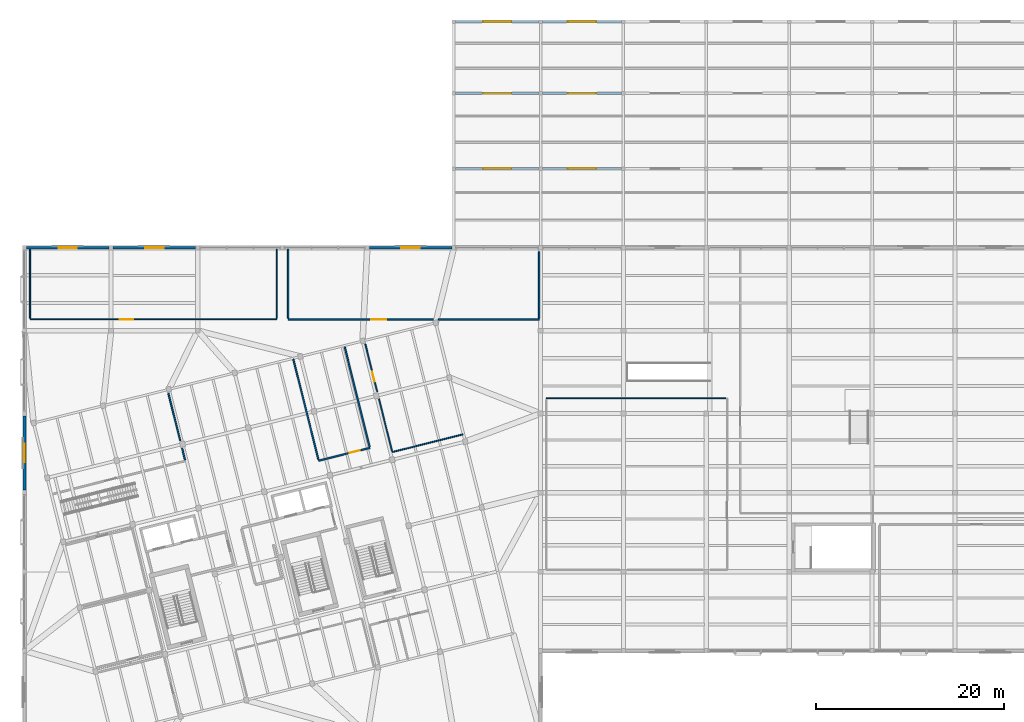
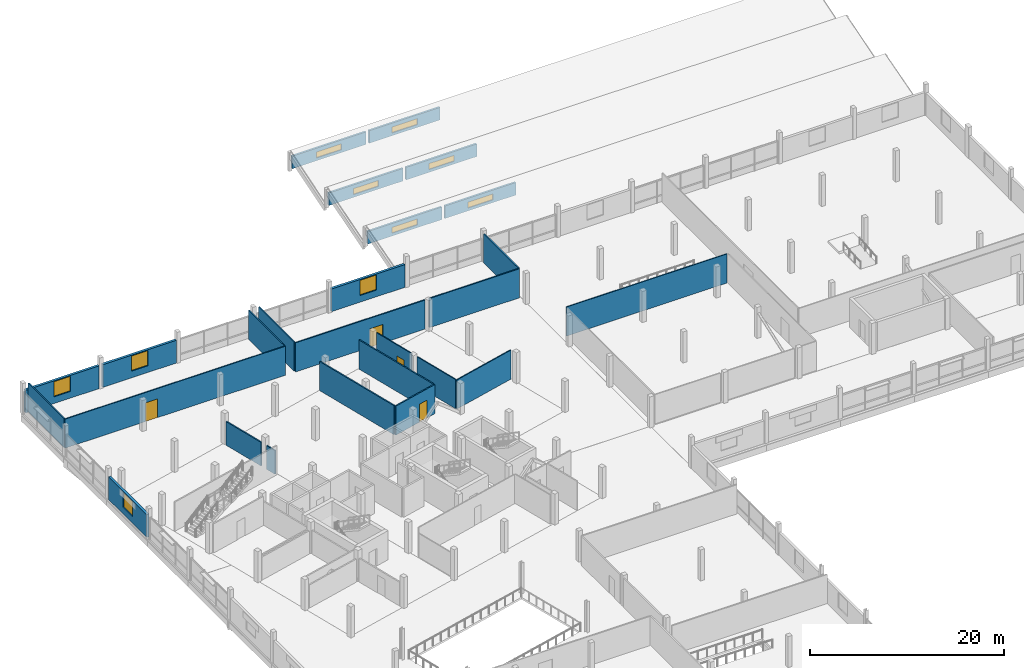
# One storey, part 54 of 62: 26 walls, 10 windows, 4 doors, 14 openings.
"""IFC4 building model written with IfcOpenShell, lengths in metres."""

import ifcopenshell
import ifcopenshell.guid

model = None  # the IFC model being written
_history = None  # IfcOwnerHistory: only IFC2X3 demands one
_inside = {}  # id of a spatial element -> (the spatial element, [elements in it])
_under = {}  # id of a project, library or spatial element -> (it, [spatial elements below it])
_declared = {}  # id of a project -> (the project, [libraries it declares])
_typed = {}  # id of a type object -> (the type object, [elements of that type])
_made_of = {}  # id of a material, layer set ... -> (it, [elements and type objects made of it])


def new_model(schema):
    """Start an empty IFC model of exactly this schema.

    Asked for "IFC4X3", IfcOpenShell would pick the latest addendum, in which some entities
    have other attributes; the version numbers below select the first issue.
    IFC2X3 requires an IfcOwnerHistory on every rooted entity: one is made here for all.
    """
    global model, _history
    if schema == "IFC4X3":
        model = ifcopenshell.file(schema_version=(4, 3, 0, 0))
    else:
        model = ifcopenshell.file(schema=schema)
    _inside.clear()
    _under.clear()
    _declared.clear()
    _typed.clear()
    _made_of.clear()
    _history = None
    if model.schema == "IFC2X3":
        org = make("IfcOrganization", Name="unknown")
        user = make(
            "IfcPersonAndOrganization",
            ThePerson=make("IfcPerson", FamilyName="unknown"),
            TheOrganization=org,
        )
        app = make(
            "IfcApplication",
            ApplicationDeveloper=org,
            Version="unknown",
            ApplicationFullName="unknown",
            ApplicationIdentifier="unknown",
        )
        _history = make(
            "IfcOwnerHistory",
            OwningUser=user,
            OwningApplication=app,
            ChangeAction="ADDED",
            CreationDate=0,
        )
    return model


def make(cls, **values):
    """One entity of the class cls with the attributes given. An attribute that is None is left unset."""
    return model.create_entity(
        cls, **{name: value for name, value in values.items() if value is not None}
    )


def rooted(cls, **values):
    """An entity with a GlobalId (a new one), such as an element, a storey or a relation."""
    return make(cls, GlobalId=ifcopenshell.guid.new(), OwnerHistory=_history, **values)


def si_unit(unit_type, name, prefix=None):
    """IfcSIUnit, for example si_unit("LENGTHUNIT", "METRE", prefix="MILLI")."""
    return make("IfcSIUnit", UnitType=unit_type, Prefix=prefix, Name=name)


def assignment(units):
    """IfcUnitAssignment: the units of a project."""
    return None if units is None else make("IfcUnitAssignment", Units=units)


def point(xyz):
    """IfcCartesianPoint."""
    return None if xyz is None else make("IfcCartesianPoint", Coordinates=xyz)


def direction(xyz):
    """IfcDirection."""
    return None if xyz is None else make("IfcDirection", DirectionRatios=xyz)


def frame(location, z_axis=None, x_axis=None):
    """IfcAxis2Placement3D, a coordinate frame: its origin and axes. An axis left out is left unset."""
    return make(
        "IfcAxis2Placement3D",
        Location=point(location),
        Axis=direction(z_axis),
        RefDirection=direction(x_axis),
    )


def frame_2d(location, x_axis=None):
    """IfcAxis2Placement2D, a coordinate frame in the plane: its origin and x axis."""
    return make(
        "IfcAxis2Placement2D", Location=point(location), RefDirection=direction(x_axis)
    )


def origin():
    """The frame at (0, 0, 0) with its axes left unset."""
    return frame((0.0, 0.0, 0.0))


def place(relative_to, where):
    """IfcLocalPlacement: puts the frame where relative to a parent placement (None: the world)."""
    return make(
        "IfcLocalPlacement", PlacementRelTo=relative_to, RelativePlacement=where
    )


def context(
    kind, dimensions, precision=None, world=None, true_north=None, identifier=None
):
    """IfcGeometricRepresentationContext, for example the 3D "Model" context."""
    return make(
        "IfcGeometricRepresentationContext",
        ContextIdentifier=identifier,
        ContextType=kind,
        CoordinateSpaceDimension=dimensions,
        Precision=precision,
        WorldCoordinateSystem=world,
        TrueNorth=true_north,
    )


def subcontext(parent, identifier, kind, view, scale=None):
    """IfcGeometricRepresentationSubContext, for example "Body" below "Model"."""
    return make(
        "IfcGeometricRepresentationSubContext",
        ContextIdentifier=identifier,
        ContextType=kind,
        ParentContext=parent,
        TargetScale=scale,
        TargetView=view,
    )


def project(units=None, contexts=None):
    """IfcProject with its units and contexts."""
    return rooted(
        "IfcProject",
        Name="project",
        RepresentationContexts=contexts,
        UnitsInContext=assignment(units),
    )


def spatial(cls, under=None, at=None, **own):
    """A site, building, storey or space (cls), placed at a placement, below another one or the project."""
    s = rooted(cls, ObjectPlacement=at, **own)
    if under is not None:
        _under.setdefault(under.id(), (under, []))[1].append(s)
    return s


def profile(cls, at=None, kind="AREA", **sizes):
    """A parametric profile (cls). Its sizes go by their IFC names, for example OverallWidth=200.0."""
    return make(cls, ProfileType=kind, Position=at, **sizes)


def rectangle(**sizes):
    """IfcRectangleProfileDef."""
    return profile("IfcRectangleProfileDef", **sizes)


def extrude(swept, where, along, depth):
    """IfcExtrudedAreaSolid: the profile swept, set in the frame where, extruded along a direction by depth."""
    return make(
        "IfcExtrudedAreaSolid",
        SweptArea=swept,
        Position=where,
        ExtrudedDirection=direction(along),
        Depth=depth,
    )


def shape(context_of_items, identifier, shape_type, items):
    """IfcShapeRepresentation: the items that make up one representation, for example the "Body"."""
    return make(
        "IfcShapeRepresentation",
        ContextOfItems=context_of_items,
        RepresentationIdentifier=identifier,
        RepresentationType=shape_type,
        Items=items,
    )


def material(Name=None, Category=None):
    """IfcMaterial."""
    return make("IfcMaterial", Name=Name, Category=Category)


def layer(
    of_material, thickness, ventilated=None, Name=None, Category=None, Priority=None
):
    """IfcMaterialLayer: one layer of a wall or slab, of a material (None: an air gap)."""
    return make(
        "IfcMaterialLayer",
        Material=of_material,
        LayerThickness=thickness,
        IsVentilated=ventilated,
        Name=Name,
        Category=Category,
        Priority=Priority,
    )


def layer_set(layers, Name=None):
    """IfcMaterialLayerSet."""
    return make("IfcMaterialLayerSet", MaterialLayers=layers, LayerSetName=Name)


def made_of(thing, what):
    """Note that an element or type object is made of a material, layer set ...; save() writes the relation."""
    if what is not None:
        _made_of.setdefault(what.id(), (what, []))[1].append(thing)
    return thing


def type_object(cls, material=None, **own):
    """A type object (cls), such as IfcWallType, which elements share."""
    return made_of(rooted(cls, **own), material)


def element(
    cls,
    number,
    at=None,
    inside=None,
    cuts=None,
    type_object=None,
    material=None,
    context=None,
    identifier="Body",
    shape_type=None,
    held_by="IfcProductDefinitionShape",
    body=None,
    shapes=None,
    **own,
):
    """One element of the class cls, such as IfcWall. Its Tag is "e" and its number.

    at: its placement. inside: the storey or other place that contains it. cuts: it is an
    opening in that element (IfcRelVoidsElement). A single representation is given by context,
    identifier, shape_type and body (its items); several are given by shapes. held_by: the class
    of the entity that holds the representations. save() writes the other relations.
    """
    e = rooted(cls, Tag="e%d" % number, ObjectPlacement=at, **own)
    if body is not None:
        shapes = [shape(context, identifier, shape_type, body)]
    if shapes is not None:
        e.Representation = make(held_by, Representations=shapes)
    if inside is not None:
        _inside.setdefault(inside.id(), (inside, []))[1].append(e)
    if cuts is not None:
        rooted(
            "IfcRelVoidsElement", RelatingBuildingElement=cuts, RelatedOpeningElement=e
        )
    if type_object is not None:
        _typed.setdefault(type_object.id(), (type_object, []))[1].append(e)
    return made_of(e, material)


def fill(opening, filler):
    """IfcRelFillsElement: the door or window that sits in an opening."""
    return rooted(
        "IfcRelFillsElement",
        RelatingOpeningElement=opening,
        RelatedBuildingElement=filler,
    )


def aggregate(whole, parts):
    """IfcRelAggregates: a whole, such as a stair, and the parts it consists of."""
    return rooted("IfcRelAggregates", RelatingObject=whole, RelatedObjects=parts)


def save(model, path):
    """Write the relations noted so far, then the file.

    IfcRelAggregates (storeys below a building ...), IfcRelContainedInSpatialStructure (elements
    in a storey), IfcRelDefinesByType, IfcRelAssociatesMaterial and IfcRelDeclares: one each for
    every whole, place, type object, material and project.
    """
    for whole, parts in _under.values():
        aggregate(whole, parts)
    for where, things in _inside.values():
        rooted(
            "IfcRelContainedInSpatialStructure",
            RelatedElements=things,
            RelatingStructure=where,
        )
    for kind, things in _typed.values():
        rooted("IfcRelDefinesByType", RelatedObjects=things, RelatingType=kind)
    for what, things in _made_of.values():
        rooted("IfcRelAssociatesMaterial", RelatedObjects=things, RelatingMaterial=what)
    for by, libraries in _declared.values():
        rooted("IfcRelDeclares", RelatingContext=by, RelatedDefinitions=libraries)
    model.write(path)


model = new_model("IFC4")

# Units and contexts
model_context = context("Model", 3, precision=1e-05, world=origin(), true_north=direction((0.0, 1.0)))
body_context = subcontext(model_context, "Body", "Model", "MODEL_VIEW")
ifc_project = project(units=[si_unit("LENGTHUNIT", "METRE"), si_unit("AREAUNIT", "SQUARE_METRE"), si_unit("VOLUMEUNIT", "CUBIC_METRE"), si_unit("PLANEANGLEUNIT", "RADIAN"), si_unit("MASSUNIT", "GRAM", prefix="KILO")], contexts=[model_context])

# Site, building, storey
site_placement = place(None, origin())
site = spatial("IfcSite", under=ifc_project, at=site_placement, CompositionType="ELEMENT")
building_placement = place(site_placement, origin())
building = spatial("IfcBuilding", under=site, at=building_placement, Name="Meriwether Solvik Hall", CompositionType="ELEMENT")
storey_placement = place(building_placement, frame((0.0, 0.0, 14.39990234375)))
storey = spatial("IfcBuildingStorey", under=building, at=storey_placement, Name="L03", CompositionType="ELEMENT", Elevation=14.39990234375)

# Wall, opening, window
ifc_material_1 = material(Name="Cross-Laminated Timber and Mineral-Wool Insulation", Category="wood")
ifc_layer_1 = layer(ifc_material_1, 0.2900390625)
ifc_layer_set_1 = layer_set([ifc_layer_1], Name="Cross-Laminated Timber and Mineral-Wool Insulation")
wall_type_1 = type_object("IfcWallType", Name="WALL-EXT-290", PredefinedType="SOLIDWALL", material=ifc_layer_set_1)
wall_1_placement = place(storey_placement, frame((59.6220703125, 92.800048828125, 0.0), z_axis=(0.0, 0.0, 1.0), x_axis=(1.0, 0.0, 0.0)))
wall_1 = element("IfcWall", 1, at=wall_1_placement, inside=storey, type_object=wall_type_1, Name="L03 N Wing Facade Wall XK_7_12", PredefinedType="SOLIDWALL", context=body_context, shape_type="SweptSolid", body=[
    extrude(rectangle(XDim=8.755859375, YDim=0.2900390625, at=frame_2d((4.3779296875, 0.0))), origin(), (0.0, 0.0, 1.0), 2.85498046875),
])
opening_1_placement = place(wall_1_placement, frame((3.403076171875, 0.0, 0.85009765625)))
opening_1 = element("IfcOpeningElement", 2, at=opening_1_placement, cuts=wall_1, Name="Opening WN-158", PredefinedType="OPENING", context=body_context, shape_type="SweptSolid", body=[
    extrude(rectangle(XDim=1.949951171875, YDim=1.89990234375, at=frame_2d((0.97509765625, 0.949951171875))), frame((0.0, 0.156982421875, 0.0), z_axis=(0.0, -1.0, 0.0), x_axis=(1.0, 0.0, 0.0)), (0.0, 0.0, 1.0), 0.31396484375),
])
ifc_material_2 = material(Name="Thermally Broken Anodised Aluminium and Triple Low-E Glass", Category="aluminium")
window_type_1 = type_object("IfcWindowType", Name="WIN-TW-LOW-195X190", PartitioningType="SINGLE_PANEL", PredefinedType="WINDOW", material=ifc_material_2)
window_1_placement = place(opening_1_placement, origin())
window_1 = element("IfcWindow", 3, at=window_1_placement, inside=storey, type_object=window_type_1, Name="L03 N Window XK_7_12", OverallHeight=1.89990234375, OverallWidth=1.949951171875, PartitioningType="SINGLE_PANEL", PredefinedType="WINDOW", context=body_context, shape_type="SweptSolid", body=[
    extrude(rectangle(XDim=1.949951171875, YDim=1.89990234375, at=frame_2d((0.97509765625, 0.949951171875))), frame((0.0, 0.030029296875, 0.0), z_axis=(0.0, -1.0, 0.0), x_axis=(1.0, 0.0, 0.0)), (0.0, 0.0, 1.0), 0.06005859375),
])
fill(opening_1, window_1)

wall_2_placement = place(storey_placement, frame((68.822021484375, 92.800048828125, 0.0), z_axis=(0.0, 0.0, 1.0), x_axis=(1.0, 0.0, 0.0)))
wall_2 = element("IfcWall", 4, at=wall_2_placement, inside=storey, type_object=wall_type_1, Name="L03 N Wing Facade Wall XK_8_13", PredefinedType="SOLIDWALL", context=body_context, shape_type="SweptSolid", body=[
    extrude(rectangle(XDim=8.755859375, YDim=0.2900390625, at=frame_2d((4.3779296875, 0.0))), origin(), (0.0, 0.0, 1.0), 2.85498046875),
])
opening_2_placement = place(wall_2_placement, frame((3.403076171875, 0.0, 0.85009765625)))
opening_2 = element("IfcOpeningElement", 5, at=opening_2_placement, cuts=wall_2, Name="Opening WN-158", PredefinedType="OPENING", context=body_context, shape_type="SweptSolid", body=[
    extrude(rectangle(XDim=1.949951171875, YDim=1.89990234375, at=frame_2d((0.97509765625, 0.949951171875))), frame((0.0, 0.156982421875, 0.0), z_axis=(0.0, -1.0, 0.0), x_axis=(1.0, 0.0, 0.0)), (0.0, 0.0, 1.0), 0.31396484375),
])
window_2_placement = place(opening_2_placement, origin())
window_2 = element("IfcWindow", 6, at=window_2_placement, inside=storey, type_object=window_type_1, Name="L03 N Window XK_8_13", OverallHeight=1.89990234375, OverallWidth=1.949951171875, PartitioningType="SINGLE_PANEL", PredefinedType="WINDOW", context=body_context, shape_type="SweptSolid", body=[
    extrude(rectangle(XDim=1.949951171875, YDim=1.89990234375, at=frame_2d((0.97509765625, 0.949951171875))), frame((0.0, 0.030029296875, 0.0), z_axis=(0.0, -1.0, 0.0), x_axis=(1.0, 0.0, 0.0)), (0.0, 0.0, 1.0), 0.06005859375),
])
fill(opening_2, window_2)

wall_3_placement = place(storey_placement, frame((96.02197265625, 92.800048828125, 0.0), z_axis=(0.0, 0.0, 1.0), x_axis=(1.0, 0.0, 0.0)))
wall_3 = element("IfcWall", 7, at=wall_3_placement, inside=storey, type_object=wall_type_1, Name="L03 N Wing Facade Wall XK_11_16", PredefinedType="SOLIDWALL", context=body_context, shape_type="SweptSolid", body=[
    extrude(rectangle(XDim=8.756103515625, YDim=0.2900390625, at=frame_2d((4.3779296875, 0.0))), origin(), (0.0, 0.0, 1.0), 2.85498046875),
])
opening_3_placement = place(wall_3_placement, frame((3.403076171875, 0.0, 0.85009765625)))
opening_3 = element("IfcOpeningElement", 8, at=opening_3_placement, cuts=wall_3, Name="Opening WN-158", PredefinedType="OPENING", context=body_context, shape_type="SweptSolid", body=[
    extrude(rectangle(XDim=1.949951171875, YDim=1.89990234375, at=frame_2d((0.97509765625, 0.949951171875))), frame((0.0, 0.156982421875, 0.0), z_axis=(0.0, -1.0, 0.0), x_axis=(1.0, 0.0, 0.0)), (0.0, 0.0, 1.0), 0.31396484375),
])
window_3_placement = place(opening_3_placement, origin())
window_3 = element("IfcWindow", 9, at=window_3_placement, inside=storey, type_object=window_type_1, Name="L03 N Window XK_11_16", OverallHeight=1.89990234375, OverallWidth=1.949951171875, PartitioningType="SINGLE_PANEL", PredefinedType="WINDOW", context=body_context, shape_type="SweptSolid", body=[
    extrude(rectangle(XDim=1.949951171875, YDim=1.89990234375, at=frame_2d((0.97509765625, 0.949951171875))), frame((0.0, 0.030029296875, 0.0), z_axis=(0.0, -1.0, 0.0), x_axis=(1.0, 0.0, 0.0)), (0.0, 0.0, 1.0), 0.06005859375),
])
fill(opening_3, window_3)

wall_4_placement = place(storey_placement, frame((59.39990234375, 67.0595703125, 0.0), z_axis=(0.0, 0.0, 1.0), x_axis=(0.0, 1.0, 0.0)))
wall_4 = element("IfcWall", 10, at=wall_4_placement, inside=storey, type_object=wall_type_1, Name="L03 W Wing Facade Wall Y7_8_31", PredefinedType="SOLIDWALL", context=body_context, shape_type="SweptSolid", body=[
    extrude(rectangle(XDim=7.880859375, YDim=0.2900390625, at=frame_2d((3.9404296875, 0.0))), origin(), (0.0, 0.0, 1.0), 2.85498046875),
])
opening_4_placement = place(wall_4_placement, frame((2.965576171875, 0.0, 0.85009765625)))
opening_4 = element("IfcOpeningElement", 11, at=opening_4_placement, cuts=wall_4, Name="Opening WN-158", PredefinedType="OPENING", context=body_context, shape_type="SweptSolid", body=[
    extrude(rectangle(XDim=1.949951171875, YDim=1.89990234375, at=frame_2d((0.97509765625, 0.949951171875))), frame((0.0, 0.156982421875, 0.0), z_axis=(0.0, -1.0, 0.0), x_axis=(1.0, 0.0, 0.0)), (0.0, 0.0, 1.0), 0.31396484375),
])
window_4_placement = place(opening_4_placement, origin())
window_4 = element("IfcWindow", 12, at=window_4_placement, inside=storey, type_object=window_type_1, Name="L03 W Window Y7_8_31", OverallHeight=1.89990234375, OverallWidth=1.949951171875, PartitioningType="SINGLE_PANEL", PredefinedType="WINDOW", context=body_context, shape_type="SweptSolid", body=[
    extrude(rectangle(XDim=1.949951171875, YDim=1.89990234375, at=frame_2d((0.97509765625, 0.949951171875))), frame((0.0, 0.030029296875, 0.0), z_axis=(0.0, -1.0, 0.0), x_axis=(1.0, 0.0, 0.0)), (0.0, 0.0, 1.0), 0.06005859375),
])
fill(opening_4, window_4)

# Wall
ifc_material_3 = material(Name="Tempered Laminated Glass in Anodised Aluminium Frame", Category="aluminium")
ifc_layer_2 = layer(ifc_material_3, 0.112060546875)
ifc_layer_set_2 = layer_set([ifc_layer_2], Name="Tempered Laminated Glass in Anodised Aluminium Frame")
wall_type_2 = type_object("IfcWallType", Name="WALL-GLZ-112", PredefinedType="PARTITIONING", material=ifc_layer_set_2)
wall_5_placement = place(storey_placement, frame((133.8798828125, 76.800048828125, 0.0), z_axis=(0.0, 0.0, 1.0), x_axis=(-1.0, 0.0, 0.0)))
element("IfcWall", 13, at=wall_5_placement, inside=storey, type_object=wall_type_2, Name="L03 Interior Partition dig_com_3_n", PredefinedType="PARTITIONING", context=body_context, shape_type="SweptSolid", body=[
    extrude(rectangle(XDim=19.079833984375, YDim=0.112060546875, at=frame_2d((9.5400390625, 0.0))), origin(), (0.0, 0.0, 1.0), 3.655029296875),
])

# Wall, opening, window
ifc_material_4 = material(Name="Cross-Laminated Timber and Polyisocyanurate Insulation", Category="wood")
ifc_layer_3 = layer(ifc_material_4, 0.22998046875)
ifc_layer_set_3 = layer_set([ifc_layer_3], Name="Cross-Laminated Timber and Polyisocyanurate Insulation")
wall_type_3 = type_object("IfcWallType", Name="WALL-MON-230", PredefinedType="SOLIDWALL", material=ifc_layer_set_3)
wall_6_placement = place(storey_placement, frame((114.010009765625, 101.199951171875, 0.175048828125), z_axis=(0.0, 0.0, 1.0), x_axis=(-1.0, 0.0, 0.0)))
wall_6 = element("IfcWall", 14, at=wall_6_placement, inside=storey, type_object=wall_type_3, Name="Sawtooth Monitor Clerestory Wall w2_saw_1_b1", PredefinedType="SOLIDWALL", context=body_context, shape_type="SweptSolid", body=[
    extrude(rectangle(XDim=8.820068359375, YDim=0.22998046875, at=frame_2d((4.41015625, 0.0))), origin(), (0.0, 0.0, 1.0), 1.57568359375),
])
opening_5_placement = place(wall_6_placement, frame((2.909912109375, 0.0, 0.35009765625)))
opening_5 = element("IfcOpeningElement", 15, at=opening_5_placement, cuts=wall_6, Name="Opening SK-164", PredefinedType="OPENING", context=body_context, shape_type="SweptSolid", body=[
    extrude(rectangle(XDim=3.0, YDim=0.75, at=frame_2d((1.5, 0.375))), frame((0.0, 0.126953125, 0.0), z_axis=(0.0, -1.0, 0.0), x_axis=(1.0, 0.0, 0.0)), (0.0, 0.0, 1.0), 0.25390625),
])
ifc_material_5 = material(Name="Thermally Broken Anodised Aluminium and Triple Low-E Glass", Category="aluminium")
window_type_2 = type_object("IfcWindowType", Name="SKY-MON-300X075", PartitioningType="SINGLE_PANEL", PredefinedType="SKYLIGHT", material=ifc_material_5)
window_5_placement = place(opening_5_placement, origin())
window_5 = element("IfcWindow", 16, at=window_5_placement, inside=storey, type_object=window_type_2, Name="Sawtooth Northlight Skylight w2_saw_1_b1-1", OverallHeight=0.75, OverallWidth=3.0, PartitioningType="SINGLE_PANEL", PredefinedType="SKYLIGHT", context=body_context, shape_type="SweptSolid", body=[
    extrude(rectangle(XDim=3.0, YDim=0.75, at=frame_2d((1.5, 0.375))), frame((0.0, 0.030029296875, 0.0), z_axis=(0.0, -1.0, 0.0), x_axis=(1.0, 0.0, 0.0)), (0.0, 0.0, 1.0), 0.06005859375),
])
fill(opening_5, window_5)

wall_7_placement = place(storey_placement, frame((122.81005859375, 101.199951171875, 0.175048828125), z_axis=(0.0, 0.0, 1.0), x_axis=(-1.0, 0.0, 0.0)))
wall_7 = element("IfcWall", 17, at=wall_7_placement, inside=storey, type_object=wall_type_3, Name="Sawtooth Monitor Clerestory Wall w2_saw_1_b2", PredefinedType="SOLIDWALL", context=body_context, shape_type="SweptSolid", body=[
    extrude(rectangle(XDim=8.420166015625, YDim=0.22998046875, at=frame_2d((4.2099609375, 0.0))), origin(), (0.0, 0.0, 1.0), 1.57568359375),
])
opening_6_placement = place(wall_7_placement, frame((2.7099609375, 0.0, 0.35009765625)))
opening_6 = element("IfcOpeningElement", 18, at=opening_6_placement, cuts=wall_7, Name="Opening SK-164", PredefinedType="OPENING", context=body_context, shape_type="SweptSolid", body=[
    extrude(rectangle(XDim=3.0, YDim=0.75, at=frame_2d((1.5, 0.375))), frame((0.0, 0.126953125, 0.0), z_axis=(0.0, -1.0, 0.0), x_axis=(1.0, 0.0, 0.0)), (0.0, 0.0, 1.0), 0.25390625),
])
window_6_placement = place(opening_6_placement, origin())
window_6 = element("IfcWindow", 19, at=window_6_placement, inside=storey, type_object=window_type_2, Name="Sawtooth Northlight Skylight w2_saw_1_b2-1", OverallHeight=0.75, OverallWidth=3.0, PartitioningType="SINGLE_PANEL", PredefinedType="SKYLIGHT", context=body_context, shape_type="SweptSolid", body=[
    extrude(rectangle(XDim=3.0, YDim=0.75, at=frame_2d((1.5, 0.375))), frame((0.0, 0.030029296875, 0.0), z_axis=(0.0, -1.0, 0.0), x_axis=(1.0, 0.0, 0.0)), (0.0, 0.0, 1.0), 0.06005859375),
])
fill(opening_6, window_6)

wall_8_placement = place(storey_placement, frame((114.010009765625, 109.199951171875, 0.175048828125), z_axis=(0.0, 0.0, 1.0), x_axis=(-1.0, 0.0, 0.0)))
wall_8 = element("IfcWall", 20, at=wall_8_placement, inside=storey, type_object=wall_type_3, Name="Sawtooth Monitor Clerestory Wall w2_saw_2_b1", PredefinedType="SOLIDWALL", context=body_context, shape_type="SweptSolid", body=[
    extrude(rectangle(XDim=8.820068359375, YDim=0.22998046875, at=frame_2d((4.41015625, 0.0))), origin(), (0.0, 0.0, 1.0), 1.5751953125),
])
opening_7_placement = place(wall_8_placement, frame((2.909912109375, 0.0, 0.35009765625)))
opening_7 = element("IfcOpeningElement", 21, at=opening_7_placement, cuts=wall_8, Name="Opening SK-164", PredefinedType="OPENING", context=body_context, shape_type="SweptSolid", body=[
    extrude(rectangle(XDim=3.0, YDim=0.75, at=frame_2d((1.5, 0.375))), frame((0.0, 0.126953125, 0.0), z_axis=(0.0, -1.0, 0.0), x_axis=(1.0, 0.0, 0.0)), (0.0, 0.0, 1.0), 0.25390625),
])
window_7_placement = place(opening_7_placement, origin())
window_7 = element("IfcWindow", 22, at=window_7_placement, inside=storey, type_object=window_type_2, Name="Sawtooth Northlight Skylight w2_saw_2_b1-1", OverallHeight=0.75, OverallWidth=3.0, PartitioningType="SINGLE_PANEL", PredefinedType="SKYLIGHT", context=body_context, shape_type="SweptSolid", body=[
    extrude(rectangle(XDim=3.0, YDim=0.75, at=frame_2d((1.5, 0.375))), frame((0.0, 0.030029296875, 0.0), z_axis=(0.0, -1.0, 0.0), x_axis=(1.0, 0.0, 0.0)), (0.0, 0.0, 1.0), 0.06005859375),
])
fill(opening_7, window_7)

wall_9_placement = place(storey_placement, frame((122.81005859375, 109.199951171875, 0.175048828125), z_axis=(0.0, 0.0, 1.0), x_axis=(-1.0, 0.0, 0.0)))
wall_9 = element("IfcWall", 23, at=wall_9_placement, inside=storey, type_object=wall_type_3, Name="Sawtooth Monitor Clerestory Wall w2_saw_2_b2", PredefinedType="SOLIDWALL", context=body_context, shape_type="SweptSolid", body=[
    extrude(rectangle(XDim=8.420166015625, YDim=0.22998046875, at=frame_2d((4.2099609375, 0.0))), origin(), (0.0, 0.0, 1.0), 1.5751953125),
])
opening_8_placement = place(wall_9_placement, frame((2.7099609375, 0.0, 0.35009765625)))
opening_8 = element("IfcOpeningElement", 24, at=opening_8_placement, cuts=wall_9, Name="Opening SK-164", PredefinedType="OPENING", context=body_context, shape_type="SweptSolid", body=[
    extrude(rectangle(XDim=3.0, YDim=0.75, at=frame_2d((1.5, 0.375))), frame((0.0, 0.126953125, 0.0), z_axis=(0.0, -1.0, 0.0), x_axis=(1.0, 0.0, 0.0)), (0.0, 0.0, 1.0), 0.25390625),
])
window_8_placement = place(opening_8_placement, origin())
window_8 = element("IfcWindow", 25, at=window_8_placement, inside=storey, type_object=window_type_2, Name="Sawtooth Northlight Skylight w2_saw_2_b2-1", OverallHeight=0.75, OverallWidth=3.0, PartitioningType="SINGLE_PANEL", PredefinedType="SKYLIGHT", context=body_context, shape_type="SweptSolid", body=[
    extrude(rectangle(XDim=3.0, YDim=0.75, at=frame_2d((1.5, 0.375))), frame((0.0, 0.030029296875, 0.0), z_axis=(0.0, -1.0, 0.0), x_axis=(1.0, 0.0, 0.0)), (0.0, 0.0, 1.0), 0.06005859375),
])
fill(opening_8, window_8)

wall_10_placement = place(storey_placement, frame((114.010009765625, 116.800048828125, 0.175048828125), z_axis=(0.0, 0.0, 1.0), x_axis=(-1.0, 0.0, 0.0)))
wall_10 = element("IfcWall", 26, at=wall_10_placement, inside=storey, type_object=wall_type_3, Name="Sawtooth Monitor Clerestory Wall w2_saw_3_b1", PredefinedType="SOLIDWALL", context=body_context, shape_type="SweptSolid", body=[
    extrude(rectangle(XDim=8.820068359375, YDim=0.22998046875, at=frame_2d((4.41015625, 0.0))), origin(), (0.0, 0.0, 1.0), 1.574462890625),
])
opening_9_placement = place(wall_10_placement, frame((2.909912109375, 0.0, 0.35009765625)))
opening_9 = element("IfcOpeningElement", 27, at=opening_9_placement, cuts=wall_10, Name="Opening SK-164", PredefinedType="OPENING", context=body_context, shape_type="SweptSolid", body=[
    extrude(rectangle(XDim=3.0, YDim=0.75, at=frame_2d((1.5, 0.375))), frame((0.0, 0.126953125, 0.0), z_axis=(0.0, -1.0, 0.0), x_axis=(1.0, 0.0, 0.0)), (0.0, 0.0, 1.0), 0.25390625),
])
window_9_placement = place(opening_9_placement, origin())
window_9 = element("IfcWindow", 28, at=window_9_placement, inside=storey, type_object=window_type_2, Name="Sawtooth Northlight Skylight w2_saw_3_b1-1", OverallHeight=0.75, OverallWidth=3.0, PartitioningType="SINGLE_PANEL", PredefinedType="SKYLIGHT", context=body_context, shape_type="SweptSolid", body=[
    extrude(rectangle(XDim=3.0, YDim=0.75, at=frame_2d((1.5, 0.375))), frame((0.0, 0.030029296875, 0.0), z_axis=(0.0, -1.0, 0.0), x_axis=(1.0, 0.0, 0.0)), (0.0, 0.0, 1.0), 0.06005859375),
])
fill(opening_9, window_9)

wall_11_placement = place(storey_placement, frame((122.81005859375, 116.800048828125, 0.175048828125), z_axis=(0.0, 0.0, 1.0), x_axis=(-1.0, 0.0, 0.0)))
wall_11 = element("IfcWall", 29, at=wall_11_placement, inside=storey, type_object=wall_type_3, Name="Sawtooth Monitor Clerestory Wall w2_saw_3_b2", PredefinedType="SOLIDWALL", context=body_context, shape_type="SweptSolid", body=[
    extrude(rectangle(XDim=8.420166015625, YDim=0.22998046875, at=frame_2d((4.2099609375, 0.0))), origin(), (0.0, 0.0, 1.0), 1.574462890625),
])
opening_10_placement = place(wall_11_placement, frame((2.7099609375, 0.0, 0.35009765625)))
opening_10 = element("IfcOpeningElement", 30, at=opening_10_placement, cuts=wall_11, Name="Opening SK-164", PredefinedType="OPENING", context=body_context, shape_type="SweptSolid", body=[
    extrude(rectangle(XDim=3.0, YDim=0.75, at=frame_2d((1.5, 0.375))), frame((0.0, 0.126953125, 0.0), z_axis=(0.0, -1.0, 0.0), x_axis=(1.0, 0.0, 0.0)), (0.0, 0.0, 1.0), 0.25390625),
])
window_10_placement = place(opening_10_placement, origin())
window_10 = element("IfcWindow", 31, at=window_10_placement, inside=storey, type_object=window_type_2, Name="Sawtooth Northlight Skylight w2_saw_3_b2-1", OverallHeight=0.75, OverallWidth=3.0, PartitioningType="SINGLE_PANEL", PredefinedType="SKYLIGHT", context=body_context, shape_type="SweptSolid", body=[
    extrude(rectangle(XDim=3.0, YDim=0.75, at=frame_2d((1.5, 0.375))), frame((0.0, 0.030029296875, 0.0), z_axis=(0.0, -1.0, 0.0), x_axis=(1.0, 0.0, 0.0)), (0.0, 0.0, 1.0), 0.06005859375),
])
fill(opening_10, window_10)

# Wall, opening, door
ifc_material_6 = material(Name="Gypsum Board Partition", Category="gypsum")
ifc_layer_4 = layer(ifc_material_6, 0.125)
ifc_layer_set_4 = layer_set([ifc_layer_4], Name="Gypsum Board Partition")
wall_type_4 = type_object("IfcWallType", Name="WALL-PART-125", PredefinedType="PARTITIONING", material=ifc_layer_set_4)
wall_12_placement = place(storey_placement, frame((60.0, 85.199951171875, 0.0), z_axis=(0.0, 0.0, 1.0), x_axis=(1.0, 0.0, 0.0)))
wall_12 = element("IfcWall", 32, at=wall_12_placement, inside=storey, type_object=wall_type_4, Name="L03 Interior Partition fac_n3a_s", PredefinedType="PARTITIONING", context=body_context, shape_type="SweptSolid", body=[
    extrude(rectangle(XDim=26.199951171875, YDim=0.125, at=frame_2d((13.10009765625, 0.0))), origin(), (0.0, 0.0, 1.0), 3.655029296875),
])
opening_11_placement = place(wall_12_placement, frame((9.5283203125, 0.0, 0.0)))
opening_11 = element("IfcOpeningElement", 33, at=opening_11_placement, cuts=wall_12, Name="Opening D-152", PredefinedType="OPENING", context=body_context, shape_type="SweptSolid", body=[
    extrude(rectangle(XDim=1.449951171875, YDim=2.35009765625, at=frame_2d((0.72509765625, 1.175048828125))), frame((0.0, 0.074462890625, 0.0), z_axis=(0.0, -1.0, 0.0), x_axis=(1.0, 0.0, 0.0)), (0.0, 0.0, 1.0), 0.14892578125),
])
ifc_material_7 = material(Name="Laminated Vision Glass and Solid White Oak Timber", Category="wood")
door_type_1 = type_object("IfcDoorType", Name="DR-CONF-1450", OperationType="DOUBLE_DOOR_SINGLE_SWING", PredefinedType="DOOR", material=ifc_material_7)
door_1_placement = place(opening_11_placement, origin())
door_1 = element("IfcDoor", 34, at=door_1_placement, inside=storey, type_object=door_type_1, Name="Faculty Research Commons Door", OperationType="DOUBLE_DOOR_SINGLE_SWING", OverallHeight=2.35009765625, OverallWidth=1.449951171875, PredefinedType="DOOR", context=body_context, shape_type="SweptSolid", body=[
    extrude(rectangle(XDim=1.449951171875, YDim=2.35009765625, at=frame_2d((0.72509765625, 1.175048828125))), frame((0.0, 0.02490234375, 0.0), z_axis=(0.0, -1.0, 0.0), x_axis=(1.0, 0.0, 0.0)), (0.0, 0.0, 1.0), 0.050048828125),
])
fill(opening_11, door_1)

# Walls
for number, where, z_axis, x_axis, name in (
    (35, (86.199951171875, 85.320068359375, 0.0), (0.0, 0.0, 1.0), (0.0, 1.0, 0.0), "L03 Interior Partition fac_n3a_e"),
    (36, (60.0, 92.64990234375, 0.0), (0.0, 0.0, 1.0), (0.0, -1.0, 0.0), "L03 Interior Partition fac_n3a_w"),
):
    element("IfcWall", number, at=place(storey_placement, frame(where, z_axis=z_axis, x_axis=x_axis)), inside=storey, type_object=wall_type_4, Name=name, PredefinedType="PARTITIONING", context=body_context, shape_type="SweptSolid", body=[
        extrude(rectangle(XDim=7.329833984375, YDim=0.125, at=frame_2d((3.6650390625, 0.0))), origin(), (0.0, 0.0, 1.0), 3.655029296875),
    ])
wall_13_placement = place(storey_placement, frame((98.450927734375, 71.110107421875, 0.0), z_axis=(0.0, 0.0, 1.0), x_axis=(0.970300010967, 0.241904709993, 0.0)))
element("IfcWall", 37, at=wall_13_placement, inside=storey, type_object=wall_type_4, Name="L03 Interior Partition adv_se_s", PredefinedType="PARTITIONING", context=body_context, shape_type="SweptSolid", body=[
    extrude(rectangle(XDim=7.739990234375, YDim=0.125, at=frame_2d((3.8701171875, 0.0))), origin(), (0.0, 0.0, 1.0), 3.655029296875),
])

# Wall, opening, door
wall_14_placement = place(storey_placement, frame((95.59375, 82.5693359375, 0.0), z_axis=(0.0, 0.0, 1.0), x_axis=(0.241919249358, -0.970296386054, 0.0)))
wall_14 = element("IfcWall", 38, at=wall_14_placement, inside=storey, type_object=wall_type_4, Name="L03 Interior Partition adv_se_w", PredefinedType="PARTITIONING", context=body_context, shape_type="SweptSolid", body=[
    extrude(rectangle(XDim=5.219482421875, YDim=0.125, at=frame_2d((2.60986328125, 0.0))), origin(), (0.0, 0.0, 1.0), 3.655029296875),
])
opening_12_placement = place(wall_14_placement, frame((3.04345703125, 0.0, 0.0)))
opening_12 = element("IfcOpeningElement", 39, at=opening_12_placement, cuts=wall_14, Name="Opening D-175", PredefinedType="OPENING", context=body_context, shape_type="SweptSolid", body=[
    extrude(rectangle(XDim=1.050048828125, YDim=2.25, at=frame_2d((0.52490234375, 1.125))), frame((0.0, 0.074462890625, 0.0), z_axis=(0.0, -1.0, 0.0), x_axis=(1.0, 0.0, 0.0)), (0.0, 0.0, 1.0), 0.14892578125),
])
ifc_material_8 = material(Name="Solid-Core Rift White Oak Timber", Category="wood")
door_type_2 = type_object("IfcDoorType", Name="DR-FEL-1050L", OperationType="SINGLE_SWING_LEFT", PredefinedType="DOOR", material=ifc_material_8)
door_2_placement = place(opening_12_placement, origin())
door_2 = element("IfcDoor", 40, at=door_2_placement, inside=storey, type_object=door_type_2, Name="L03 Academic Advising Suite Door", OperationType="SINGLE_SWING_LEFT", OverallHeight=2.25, OverallWidth=1.050048828125, PredefinedType="DOOR", context=body_context, shape_type="SweptSolid", body=[
    extrude(rectangle(XDim=1.050048828125, YDim=2.25, at=frame_2d((0.52490234375, 1.125))), frame((0.0, 0.02490234375, 0.0), z_axis=(0.0, -1.0, 0.0), x_axis=(1.0, 0.0, 0.0)), (0.0, 0.0, 1.0), 0.050048828125),
])
fill(opening_12, door_2)

# Wall
wall_15_placement = place(storey_placement, frame((97.045166015625, 76.74755859375, 0.0), z_axis=(0.0, 0.0, 1.0), x_axis=(0.241950032654, -0.970288710487, 0.0)))
element("IfcWall", 41, at=wall_15_placement, inside=storey, type_object=wall_type_4, Name="L03 Interior Partition adv_se_w_s2", PredefinedType="PARTITIONING", context=body_context, shape_type="SweptSolid", body=[
    extrude(rectangle(XDim=5.68994140625, YDim=0.125, at=frame_2d((2.844970703125, 0.0))), origin(), (0.0, 0.0, 1.0), 3.655029296875),
])

# Wall, opening, door
ifc_material_9 = material(Name="Gypsum Board Partition", Category="gypsum")
ifc_layer_5 = layer(ifc_material_9, 0.14990234375)
ifc_layer_set_5 = layer_set([ifc_layer_5], Name="Gypsum Board Partition")
wall_type_5 = type_object("IfcWallType", Name="WALL-PART-150", PredefinedType="PARTITIONING", material=ifc_layer_set_5)
wall_16_placement = place(storey_placement, frame((87.39990234375, 85.199951171875, 0.0), z_axis=(0.0, 0.0, 1.0), x_axis=(1.0, 0.0, 0.0)))
wall_16 = element("IfcWall", 42, at=wall_16_placement, inside=storey, type_object=wall_type_5, Name="L03 Interior Partition fac_n3b_s", PredefinedType="PARTITIONING", context=body_context, shape_type="SweptSolid", body=[
    extrude(rectangle(XDim=15.4228515625, YDim=0.14990234375, at=frame_2d((7.71142578125, 0.0))), origin(), (0.0, 0.0, 1.0), 3.655029296875),
])
opening_13_placement = place(wall_16_placement, frame((8.8408203125, 0.0, 0.0)))
opening_13 = element("IfcOpeningElement", 43, at=opening_13_placement, cuts=wall_16, Name="Opening D-169", PredefinedType="OPENING", context=body_context, shape_type="SweptSolid", body=[
    extrude(rectangle(XDim=1.550048828125, YDim=2.35009765625, at=frame_2d((0.77490234375, 1.175048828125))), frame((0.0, 0.0869140625, 0.0), z_axis=(0.0, -1.0, 0.0), x_axis=(1.0, 0.0, 0.0)), (0.0, 0.0, 1.0), 0.173828125),
])
ifc_material_10 = material(Name="Laminated Vision Glass and Solid White Oak Timber", Category="wood")
door_type_3 = type_object("IfcDoorType", Name="DR-MKR-1550", OperationType="DOUBLE_DOOR_SINGLE_SWING", PredefinedType="DOOR", material=ifc_material_10)
door_3_placement = place(opening_13_placement, origin())
door_3 = element("IfcDoor", 44, at=door_3_placement, inside=storey, type_object=door_type_3, Name="Graduate Study Workshop Door", OperationType="DOUBLE_DOOR_SINGLE_SWING", OverallHeight=2.35009765625, OverallWidth=1.550048828125, PredefinedType="DOOR", context=body_context, shape_type="SweptSolid", body=[
    extrude(rectangle(XDim=1.550048828125, YDim=2.35009765625, at=frame_2d((0.77490234375, 1.175048828125))), frame((0.0, 0.02490234375, 0.0), z_axis=(0.0, -1.0, 0.0), x_axis=(1.0, 0.0, 0.0)), (0.0, 0.0, 1.0), 0.050048828125),
])
fill(opening_13, door_3)

# Walls
wall_17_placement = place(storey_placement, frame((103.312744140625, 85.199951171875, 0.0), z_axis=(0.0, 0.0, 1.0), x_axis=(1.0, 0.0, 0.0)))
element("IfcWall", 45, at=wall_17_placement, inside=storey, type_object=wall_type_5, Name="L03 Interior Partition fac_n3b_s_s2", PredefinedType="PARTITIONING", context=body_context, shape_type="SweptSolid", body=[
    extrude(rectangle(XDim=10.7373046875, YDim=0.14990234375, at=frame_2d((5.36865234375, 0.0))), origin(), (0.0, 0.0, 1.0), 3.655029296875),
])
wall_18_placement = place(storey_placement, frame((114.050048828125, 85.320068359375, 0.0), z_axis=(0.0, 0.0, 1.0), x_axis=(0.0, 1.0, 0.0)))
element("IfcWall", 46, at=wall_18_placement, inside=storey, type_object=wall_type_5, Name="L03 Interior Partition fac_n3b_e", PredefinedType="PARTITIONING", context=body_context, shape_type="SweptSolid", body=[
    extrude(rectangle(XDim=7.06787109375, YDim=0.14990234375, at=frame_2d((3.533935546875, 0.0))), origin(), (0.0, 0.0, 1.0), 3.655029296875),
])
wall_19_placement = place(storey_placement, frame((87.39990234375, 92.64990234375, 0.0), z_axis=(0.0, 0.0, 1.0), x_axis=(0.0, -1.0, 0.0)))
element("IfcWall", 47, at=wall_19_placement, inside=storey, type_object=wall_type_5, Name="L03 Interior Partition fac_n3b_w", PredefinedType="PARTITIONING", context=body_context, shape_type="SweptSolid", body=[
    extrude(rectangle(XDim=7.329833984375, YDim=0.14990234375, at=frame_2d((3.6650390625, 0.0))), origin(), (0.0, 0.0, 1.0), 3.655029296875),
])
wall_20_placement = place(storey_placement, frame((76.447509765625, 70.2822265625, 0.0), z_axis=(0.0, 0.0, 1.0), x_axis=(-0.241901641303, 0.970300776015, 0.0)))
element("IfcWall", 48, at=wall_20_placement, inside=storey, type_object=wall_type_5, Name="L03 Interior Partition cls_nw1_e", PredefinedType="PARTITIONING", context=body_context, shape_type="SweptSolid", body=[
    extrude(rectangle(XDim=1.2685546875, YDim=0.14990234375, at=frame_2d((0.63427734375, 0.0))), origin(), (0.0, 0.0, 1.0), 2.97021484375),
])
wall_21_placement = place(storey_placement, frame((75.94091796875, 72.313720703125, 0.0), z_axis=(0.0, 0.0, 1.0), x_axis=(-0.241925047615, 0.970294940385, 0.0)))
element("IfcWall", 49, at=wall_21_placement, inside=storey, type_object=wall_type_5, Name="L03 Interior Partition cls_nw1_e_s2", PredefinedType="PARTITIONING", context=body_context, shape_type="SweptSolid", body=[
    extrude(rectangle(XDim=5.175048828125, YDim=0.14990234375, at=frame_2d((2.58740234375, 0.0))), origin(), (0.0, 0.0, 1.0), 2.97021484375),
])

# Wall, opening, door
wall_22_placement = place(storey_placement, frame((90.640625, 70.193359375, 0.0), z_axis=(0.0, 0.0, 1.0), x_axis=(0.970296176881, 0.241920088314, 0.0)))
wall_22 = element("IfcWall", 50, at=wall_22_placement, inside=storey, type_object=wall_type_5, Name="L03 Interior Partition cls_ne1_s", PredefinedType="PARTITIONING", context=body_context, shape_type="SweptSolid", body=[
    extrude(rectangle(XDim=5.599853515625, YDim=0.14990234375, at=frame_2d((2.7998046875, 0.0))), origin(), (0.0, 0.0, 1.0), 3.655029296875),
])
opening_14_placement = place(wall_22_placement, frame((3.39990234375, 0.0, 0.0)))
opening_14 = element("IfcOpeningElement", 51, at=opening_14_placement, cuts=wall_22, Name="Opening D-134", PredefinedType="OPENING", context=body_context, shape_type="SweptSolid", body=[
    extrude(rectangle(XDim=1.10009765625, YDim=2.25, at=frame_2d((0.550048828125, 1.125))), frame((0.0, 0.0869140625, 0.0), z_axis=(0.0, -1.0, 0.0), x_axis=(1.0, 0.0, 0.0)), (0.0, 0.0, 1.0), 0.173828125),
])
ifc_material_11 = material(Name="Laminated Vision Glass and Solid White Oak Timber", Category="wood")
door_type_4 = type_object("IfcDoorType", Name="DR-CLS-1100L", OperationType="SINGLE_SWING_LEFT", PredefinedType="DOOR", material=ifc_material_11)
door_4_placement = place(opening_14_placement, origin())
door_4 = element("IfcDoor", 52, at=door_4_placement, inside=storey, type_object=door_type_4, Name="L03 Design Lecture Classroom Door", OperationType="SINGLE_SWING_LEFT", OverallHeight=2.25, OverallWidth=1.10009765625, PredefinedType="DOOR", context=body_context, shape_type="SweptSolid", body=[
    extrude(rectangle(XDim=1.10009765625, YDim=2.25, at=frame_2d((0.550048828125, 1.125))), frame((0.0, 0.02490234375, 0.0), z_axis=(0.0, -1.0, 0.0), x_axis=(1.0, 0.0, 0.0)), (0.0, 0.0, 1.0), 0.050048828125),
])
fill(opening_14, door_4)

# Walls
for number, where, z_axis, x_axis, name in (
    (53, (96.045166015625, 71.66455078125, 0.0), (0.0, 0.0, 1.0), (-0.241925680435, 0.970294782603, 0.0), "L03 Interior Partition cls_ne1_e"),
    (54, (87.945556640625, 81.00244140625, 0.0), (0.0, 0.0, 1.0), (0.241925680435, -0.970294782603, 0.0), "L03 Interior Partition cls_ne1_w"),
):
    element("IfcWall", number, at=place(storey_placement, frame(where, z_axis=z_axis, x_axis=x_axis)), inside=storey, type_object=wall_type_5, Name=name, PredefinedType="PARTITIONING", context=body_context, shape_type="SweptSolid", body=[
        extrude(rectangle(XDim=11.02001953125, YDim=0.14990234375, at=frame_2d((5.510009765625, 0.0))), origin(), (0.0, 0.0, 1.0), 3.655029296875),
    ])

save(model, "model.ifc")
